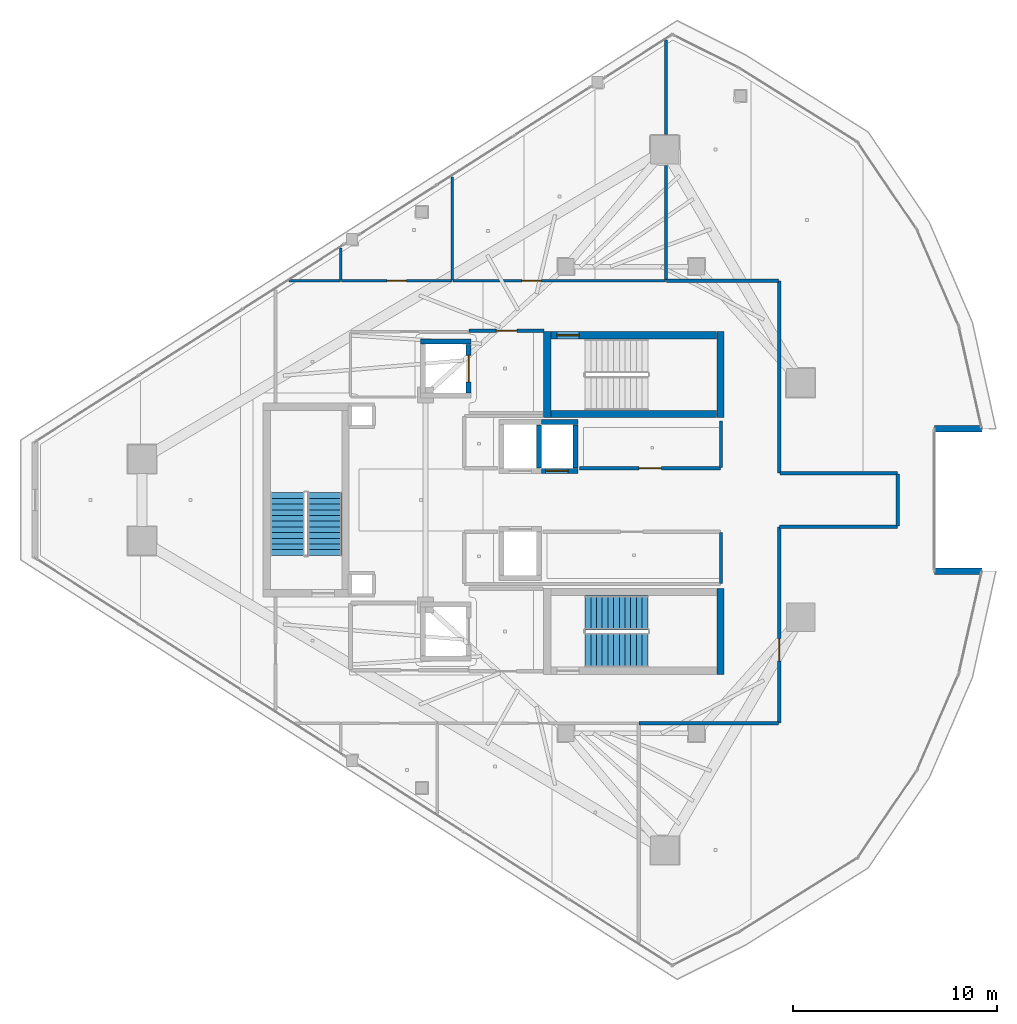
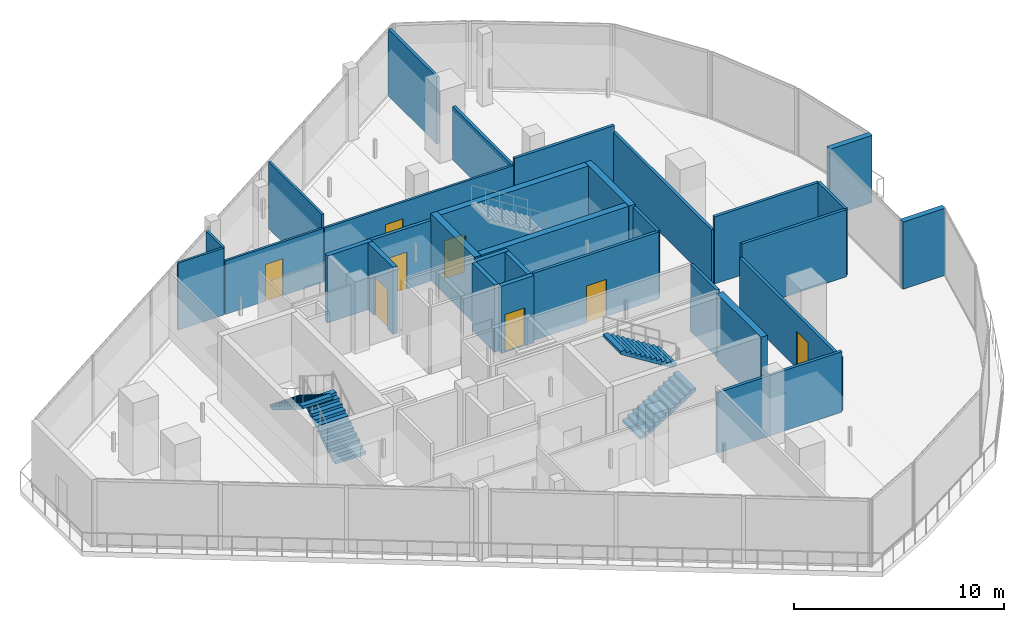
# One storey, part 19 of 25: 31 walls, 8 doors, 4 stair flights, 8 openings, 2 elements without a shape of their own.
"""IFC4 building model written with IfcOpenShell, lengths in metres."""

from ifc_helpers import new_model, si_unit, direction, frame, frame_2d, origin, place, context, subcontext, project, spatial, polyline, rectangle, outline, extrude, material, layer, layer_set, type_object, element, fill, aggregate, save


model = new_model("IFC4")

# Units and contexts
model_context = context("Model", 3, precision=1e-05, world=origin(), true_north=direction((0.0, 1.0)))
body_context = subcontext(model_context, "Body", "Model", "MODEL_VIEW")
ifc_project = project(units=[si_unit("LENGTHUNIT", "METRE"), si_unit("AREAUNIT", "SQUARE_METRE"), si_unit("VOLUMEUNIT", "CUBIC_METRE"), si_unit("PLANEANGLEUNIT", "RADIAN"), si_unit("MASSUNIT", "GRAM", prefix="KILO")], contexts=[model_context])

# Site, building, storey
site_placement = place(None, origin())
site = spatial("IfcSite", under=ifc_project, at=site_placement, CompositionType="ELEMENT")
building_placement = place(site_placement, origin())
building = spatial("IfcBuilding", under=site, at=building_placement, Name="Qorvath Tower", CompositionType="ELEMENT")
storey_placement = place(building_placement, frame((0.0, 0.0, 297.60009765625)))
storey = spatial("IfcBuildingStorey", under=building, at=storey_placement, Name="L69", CompositionType="ELEMENT", Elevation=297.60009765625)

# Wall, opening, door
ifc_material_1 = material(Name="Gypsum shaftliner on steel studs", Category="steel")
ifc_layer_1 = layer(ifc_material_1, 0.179931640625)
ifc_layer_set_1 = layer_set([ifc_layer_1], Name="FW-LOBBY")
wall_type_1 = type_object("IfcWallType", Name="FW-LOBBY", PredefinedType="PARTITIONING", material=ifc_layer_set_1)
wall_1_placement = place(storey_placement, frame((-24.68408203125, 8.300048828125, 0.0), z_axis=(0.0, 0.0, 1.0), x_axis=(-1.0, 0.0, 0.0)))
wall_1 = element("IfcWall", 1, at=wall_1_placement, inside=storey, type_object=wall_type_1, Name="Interior Partition IW-T1-L69-002", PredefinedType="PARTITIONING", context=body_context, shape_type="SweptSolid", body=[
    extrude(rectangle(XDim=3.6708984375, YDim=0.179931640625, at=frame_2d((1.83544921875, 0.0))), origin(), (0.0, 0.0, 1.0), 3.52880859375),
])
opening_1_placement = place(wall_1_placement, frame((1.33544921875, 0.0, 0.0)))
opening_1 = element("IfcOpeningElement", 2, at=opening_1_placement, cuts=wall_1, Name="Opening D-T1-L69-01", PredefinedType="OPENING", context=body_context, shape_type="SweptSolid", body=[
    extrude(rectangle(XDim=1.0, YDim=2.14990234375, at=frame_2d((0.5, 1.074951171875))), frame((0.0, 0.10009765625, 0.0), z_axis=(0.0, -1.0, 0.0), x_axis=(1.0, 0.0, 0.0)), (0.0, 0.0, 1.0), 0.199951171875),
])
ifc_material_2 = material(Name="Painted galvanised hollow metal", Category="steel")
door_type_1 = type_object("IfcDoorType", Name="FD-60", OperationType="NOTDEFINED", PredefinedType="DOOR", material=ifc_material_2)
door_1_placement = place(opening_1_placement, origin())
door_1 = element("IfcDoor", 3, at=door_1_placement, inside=storey, type_object=door_type_1, Name="Lobby Fire Service Elevator North Door D-T1-L69-01", OperationType="SINGLE_SWING_RIGHT", OverallHeight=2.14990234375, OverallWidth=1.0, PredefinedType="DOOR", context=body_context, shape_type="SweptSolid", body=[
    extrude(rectangle(XDim=1.0, YDim=2.14990234375, at=frame_2d((0.5, 1.074951171875))), frame((0.0, 0.02490234375, 0.0), z_axis=(0.0, -1.0, 0.0), x_axis=(1.0, 0.0, 0.0)), (0.0, 0.0, 1.0), 0.050048828125),
])
fill(opening_1, door_1)

ifc_material_3 = material(Name="Double acoustic gypsum board on steel studs", Category="steel")
ifc_layer_2 = layer(ifc_material_3, 0.159912109375)
ifc_layer_set_2 = layer_set([ifc_layer_2], Name="IW-ACOUSTIC-160")
wall_type_2 = type_object("IfcWallType", Name="IW-ACOUSTIC-160", PredefinedType="PARTITIONING", material=ifc_layer_set_2)
wall_2_placement = place(storey_placement, frame((-22.933837890625, 1.56005859375, 0.0), z_axis=(0.0, 0.0, 1.0), x_axis=(1.0, 0.0, 0.0)))
wall_2 = element("IfcWall", 4, at=wall_2_placement, inside=storey, type_object=wall_type_2, Name="Interior Partition IW-T1-L69-010", PredefinedType="PARTITIONING", context=body_context, shape_type="SweptSolid", body=[
    extrude(rectangle(XDim=6.908935546875, YDim=0.159912109375, at=frame_2d((3.45458984375, 0.0))), origin(), (0.0, 0.0, 1.0), 3.909912109375),
])
opening_2_placement = place(wall_2_placement, frame((2.904541015625, 0.0, 0.0)))
opening_2 = element("IfcOpeningElement", 5, at=opening_2_placement, cuts=wall_2, Name="Opening D-T1-L69-04", PredefinedType="OPENING", context=body_context, shape_type="SweptSolid", body=[
    extrude(rectangle(XDim=1.10009765625, YDim=2.14990234375, at=frame_2d((0.550048828125, 1.074951171875))), frame((0.0, 0.08984375, 0.0), z_axis=(0.0, -1.0, 0.0), x_axis=(1.0, 0.0, 0.0)), (0.0, 0.0, 1.0), 0.179931640625),
])
ifc_material_4 = material(Name="Anodised aluminium acoustic framed glass", Category="aluminium")
door_type_2 = type_object("IfcDoorType", Name="D-03", OperationType="NOTDEFINED", PredefinedType="DOOR", material=ifc_material_4)
door_2_placement = place(opening_2_placement, origin())
door_2 = element("IfcDoor", 6, at=door_2_placement, inside=storey, type_object=door_type_2, Name="L69-RCN North Executive Boardroom Door D-T1-L69-04", OperationType="SINGLE_SWING_LEFT", OverallHeight=2.14990234375, OverallWidth=1.10009765625, PredefinedType="DOOR", context=body_context, shape_type="SweptSolid", body=[
    extrude(rectangle(XDim=1.10009765625, YDim=2.14990234375, at=frame_2d((0.550048828125, 1.074951171875))), frame((0.0, 0.02490234375, 0.0), z_axis=(0.0, -1.0, 0.0), x_axis=(1.0, 0.0, 0.0)), (0.0, 0.0, 1.0), 0.050048828125),
])
fill(opening_2, door_2)

# Walls
wall_3_placement = place(storey_placement, frame((-16.0, 1.585205078125, 0.0), z_axis=(0.0, 0.0, 1.0), x_axis=(0.0, 1.0, 0.0)))
element("IfcWall", 7, at=wall_3_placement, inside=storey, type_object=wall_type_2, Name="Interior Partition IW-T1-L69-011", PredefinedType="PARTITIONING", context=body_context, shape_type="SweptSolid", body=[
    extrude(rectangle(XDim=2.30224609375, YDim=0.159912109375, at=frame_2d((1.151123046875, 0.0))), origin(), (0.0, 0.0, 1.0), 3.909912109375),
])
wall_4_placement = place(storey_placement, frame((-16.0, -4.09521484375, 0.0), z_axis=(0.0, 0.0, 1.0), x_axis=(0.0, 1.0, 0.0)))
element("IfcWall", 8, at=wall_4_placement, inside=storey, type_object=wall_type_2, Name="Interior Partition IW-T1-L69-015", PredefinedType="PARTITIONING", context=body_context, shape_type="SweptSolid", body=[
    extrude(rectangle(XDim=2.510009765625, YDim=0.159912109375, at=frame_2d((1.2548828125, 0.0))), origin(), (0.0, 0.0, 1.0), 3.909912109375),
])
wall_5_placement = place(storey_placement, frame((-18.69873046875, 22.558837890625, 0.0), z_axis=(0.0, 0.0, 1.0), x_axis=(5.2865299e-05, -0.999999998603, 0.0)))
element("IfcWall", 9, at=wall_5_placement, inside=storey, type_object=wall_type_2, Name="Interior Partition IW-T1-L69-027", PredefinedType="PARTITIONING", context=body_context, shape_type="SweptSolid", body=[
    extrude(rectangle(XDim=4.6181640625, YDim=0.159912109375, at=frame_2d((2.30908203125, 0.0))), origin(), (0.0, 0.0, 1.0), 3.909912109375),
])
wall_6_placement = place(storey_placement, frame((-18.698486328125, 16.41064453125, 0.0), z_axis=(0.0, 0.0, 1.0), x_axis=(-4.3383948e-05, -0.999999999059, 0.0)))
element("IfcWall", 10, at=wall_6_placement, inside=storey, type_object=wall_type_2, Name="Interior Partition IW-T1-L69-028", PredefinedType="PARTITIONING", context=body_context, shape_type="SweptSolid", body=[
    extrude(rectangle(XDim=5.62744140625, YDim=0.159912109375, at=frame_2d((2.813720703125, 0.0))), origin(), (0.0, 0.0, 1.0), 3.1298828125),
])
wall_7_placement = place(storey_placement, frame((-13.1669921875, 10.758056640625, 0.0), z_axis=(0.0, 0.0, 1.0), x_axis=(-1.0, 0.0, 0.0)))
element("IfcWall", 11, at=wall_7_placement, inside=storey, type_object=wall_type_2, Name="Interior Partition IW-T1-L69-029", PredefinedType="PARTITIONING", context=body_context, shape_type="SweptSolid", body=[
    extrude(rectangle(XDim=5.506591796875, YDim=0.159912109375, at=frame_2d((2.75341796875, 0.0))), origin(), (0.0, 0.0, 1.0), 3.52880859375),
])
wall_8_placement = place(storey_placement, frame((-13.14208984375, 10.733154296875, 0.0), z_axis=(0.0, 0.0, 1.0), x_axis=(0.0, -1.0, 0.0)))
element("IfcWall", 12, at=wall_8_placement, inside=storey, type_object=wall_type_2, Name="Interior Partition IW-T1-L69-030", PredefinedType="PARTITIONING", context=body_context, shape_type="SweptSolid", body=[
    extrude(rectangle(XDim=9.400146484375, YDim=0.159912109375, at=frame_2d((4.7001953125, 0.0))), origin(), (0.0, 0.0, 1.0), 3.1298828125),
])
wall_9_placement = place(storey_placement, frame((-7.350341796875, 1.30810546875, 0.0), z_axis=(0.0, 0.0, 1.0), x_axis=(-1.0, 0.0, 0.0)))
element("IfcWall", 13, at=wall_9_placement, inside=storey, type_object=wall_type_2, Name="Interior Partition IW-T1-L69-031", PredefinedType="PARTITIONING", context=body_context, shape_type="SweptSolid", body=[
    extrude(rectangle(XDim=5.766845703125, YDim=0.159912109375, at=frame_2d((2.88330078125, 0.0))), origin(), (0.0, 0.0, 1.0), 3.909912109375),
])
wall_10_placement = place(storey_placement, frame((-7.325439453125, -1.283203125, 0.0), z_axis=(0.0, 0.0, 1.0), x_axis=(0.0, 1.0, 0.0)))
element("IfcWall", 14, at=wall_10_placement, inside=storey, type_object=wall_type_2, Name="Interior Partition IW-T1-L69-032", PredefinedType="PARTITIONING", context=body_context, shape_type="SweptSolid", body=[
    extrude(rectangle(XDim=2.56640625, YDim=0.159912109375, at=frame_2d((1.283203125, 0.0))), origin(), (0.0, 0.0, 1.0), 3.909912109375),
])
wall_11_placement = place(storey_placement, frame((-13.1171875, -1.30810546875, 0.0), z_axis=(0.0, 0.0, 1.0), x_axis=(1.0, 0.0, 0.0)))
element("IfcWall", 15, at=wall_11_placement, inside=storey, type_object=wall_type_2, Name="Interior Partition IW-T1-L69-033", PredefinedType="PARTITIONING", context=body_context, shape_type="SweptSolid", body=[
    extrude(rectangle(XDim=5.766845703125, YDim=0.159912109375, at=frame_2d((2.88330078125, 0.0))), origin(), (0.0, 0.0, 1.0), 3.909912109375),
])

# Wall, opening, door
wall_12_placement = place(storey_placement, frame((-13.14208984375, -1.3330078125, 0.0), z_axis=(0.0, 0.0, 1.0), x_axis=(0.0, -1.0, 0.0)))
wall_12 = element("IfcWall", 16, at=wall_12_placement, inside=storey, type_object=wall_type_2, Name="Interior Partition IW-T1-L69-034", PredefinedType="PARTITIONING", context=body_context, shape_type="SweptSolid", body=[
    extrude(rectangle(XDim=9.60009765625, YDim=0.159912109375, at=frame_2d((4.800048828125, 0.0))), origin(), (0.0, 0.0, 1.0), 3.1298828125),
])
opening_3_placement = place(wall_12_placement, frame((5.46435546875, 0.0, 0.0)))
opening_3 = element("IfcOpeningElement", 17, at=opening_3_placement, cuts=wall_12, Name="Opening D-T1-L69-08", PredefinedType="OPENING", context=body_context, shape_type="SweptSolid", body=[
    extrude(rectangle(XDim=1.10009765625, YDim=2.14990234375, at=frame_2d((0.550048828125, 1.074951171875))), frame((0.0, 0.08984375, 0.0), z_axis=(0.0, -1.0, 0.0), x_axis=(1.0, 0.0, 0.0)), (0.0, 0.0, 1.0), 0.179931640625),
])
door_3_placement = place(opening_3_placement, origin())
door_3 = element("IfcDoor", 18, at=door_3_placement, inside=storey, type_object=door_type_2, Name="L69-02 Enclosed Conference Suite Door D-T1-L69-08", OperationType="SINGLE_SWING_LEFT", OverallHeight=2.14990234375, OverallWidth=1.10009765625, PredefinedType="DOOR", context=body_context, shape_type="SweptSolid", body=[
    extrude(rectangle(XDim=1.10009765625, YDim=2.14990234375, at=frame_2d((0.550048828125, 1.074951171875))), frame((0.0, 0.02490234375, 0.0), z_axis=(0.0, -1.0, 0.0), x_axis=(1.0, 0.0, 0.0)), (0.0, 0.0, 1.0), 0.050048828125),
])
fill(opening_3, door_3)

# Walls
wall_13_placement = place(storey_placement, frame((-20.014892578125, -10.9580078125, 0.0), z_axis=(0.0, 0.0, 1.0), x_axis=(1.0, 0.0, 0.0)))
element("IfcWall", 19, at=wall_13_placement, inside=storey, type_object=wall_type_2, Name="Interior Partition IW-T1-L69-035", PredefinedType="PARTITIONING", context=body_context, shape_type="SweptSolid", body=[
    extrude(rectangle(XDim=6.847900390625, YDim=0.159912109375, at=frame_2d((3.423828125, 0.0))), origin(), (0.0, 0.0, 1.0), 3.52880859375),
])
ifc_material_5 = material(Name="Gypsum board on metal studs with mineral wool", Category="gypsum")
ifc_layer_3 = layer(ifc_material_5, 0.125)
ifc_layer_set_3 = layer_set([ifc_layer_3], Name="IW-PART-125")
wall_type_3 = type_object("IfcWallType", Name="IW-PART-125", PredefinedType="PARTITIONING", material=ifc_layer_set_3)
wall_14_placement = place(storey_placement, frame((-34.6748046875, 10.758056640625, 0.0), z_axis=(0.0, 0.0, 1.0), x_axis=(-1.0, 0.0, 0.0)))
element("IfcWall", 20, at=wall_14_placement, inside=storey, type_object=wall_type_3, Name="Interior Partition IW-T1-L69-025", PredefinedType="PARTITIONING", context=body_context, shape_type="SweptSolid", body=[
    extrude(rectangle(XDim=2.53271484375, YDim=0.125, at=frame_2d((1.266357421875, 0.0))), origin(), (0.0, 0.0, 1.0), 3.909912109375),
])
wall_15_placement = place(storey_placement, frame((-34.64990234375, 10.783203125, 0.0), z_axis=(0.0, 0.0, 1.0), x_axis=(0.0, 1.0, 0.0)))
element("IfcWall", 21, at=wall_15_placement, inside=storey, type_object=wall_type_3, Name="Interior Partition IW-T1-L69-026", PredefinedType="PARTITIONING", context=body_context, shape_type="SweptSolid", body=[
    extrude(rectangle(XDim=1.58056640625, YDim=0.125, at=frame_2d((0.790283203125, 0.0))), origin(), (0.0, 0.0, 1.0), 3.909912109375),
])

# Wall, opening, door
wall_16_placement = place(storey_placement, frame((-34.6171875, 10.758056640625, 0.0), z_axis=(0.0, 0.0, 1.0), x_axis=(1.0, 0.0, 0.0)))
wall_16 = element("IfcWall", 22, at=wall_16_placement, inside=storey, type_object=wall_type_3, Name="Interior Partition IW-T1-L69-037", PredefinedType="PARTITIONING", context=body_context, shape_type="SweptSolid", body=[
    extrude(rectangle(XDim=5.408935546875, YDim=0.125, at=frame_2d((2.70458984375, 0.0))), origin(), (0.0, 0.0, 1.0), 3.1298828125),
])
opening_4_placement = place(wall_16_placement, frame((2.2294921875, 0.0, 0.0)))
opening_4 = element("IfcOpeningElement", 23, at=opening_4_placement, cuts=wall_16, Name="Opening D-T1-L69-09", PredefinedType="OPENING", context=body_context, shape_type="SweptSolid", body=[
    extrude(rectangle(XDim=0.949951171875, YDim=2.14990234375, at=frame_2d((0.47509765625, 1.074951171875))), frame((0.0, 0.072509765625, 0.0), z_axis=(0.0, -1.0, 0.0), x_axis=(1.0, 0.0, 0.0)), (0.0, 0.0, 1.0), 0.14501953125),
])
ifc_material_6 = material(Name="Solid-core American white oak veneer", Category="wood")
door_type_3 = type_object("IfcDoorType", Name="D-01", OperationType="NOTDEFINED", PredefinedType="DOOR", material=ifc_material_6)
door_4_placement = place(opening_4_placement, origin())
door_4 = element("IfcDoor", 24, at=door_4_placement, inside=storey, type_object=door_type_3, Name="L69-03 Executive Partner Office Door D-T1-L69-09", OperationType="SINGLE_SWING_RIGHT", OverallHeight=2.14990234375, OverallWidth=0.949951171875, PredefinedType="DOOR", context=body_context, shape_type="SweptSolid", body=[
    extrude(rectangle(XDim=0.949951171875, YDim=2.14990234375, at=frame_2d((0.47509765625, 1.074951171875))), frame((0.0, 0.02490234375, 0.0), z_axis=(0.0, -1.0, 0.0), x_axis=(1.0, 0.0, 0.0)), (0.0, 0.0, 1.0), 0.050048828125),
])
fill(opening_4, door_4)

# Wall
wall_17_placement = place(storey_placement, frame((-29.183349609375, 10.783203125, 0.0), z_axis=(0.0, 0.0, 1.0), x_axis=(0.0, 1.0, 0.0)))
element("IfcWall", 25, at=wall_17_placement, inside=storey, type_object=wall_type_3, Name="Interior Partition IW-T1-L69-038", PredefinedType="PARTITIONING", context=body_context, shape_type="SweptSolid", body=[
    extrude(rectangle(XDim=5.074462890625, YDim=0.125, at=frame_2d((2.537109375, 0.0))), origin(), (0.0, 0.0, 1.0), 3.909912109375),
])

# Wall, opening, door
wall_18_placement = place(storey_placement, frame((-29.150390625, 10.758056640625, 0.0), z_axis=(0.0, 0.0, 1.0), x_axis=(1.0, 0.0, 0.0)))
wall_18 = element("IfcWall", 26, at=wall_18_placement, inside=storey, type_object=wall_type_3, Name="Interior Partition IW-T1-L69-039", PredefinedType="PARTITIONING", context=body_context, shape_type="SweptSolid", body=[
    extrude(rectangle(XDim=10.4189453125, YDim=0.125, at=frame_2d((5.20947265625, 0.0))), origin(), (0.0, 0.0, 1.0), 3.1298828125),
])
opening_5_placement = place(wall_18_placement, frame((3.3818359375, 0.0, 0.0)))
opening_5 = element("IfcOpeningElement", 27, at=opening_5_placement, cuts=wall_18, Name="Opening D-T1-L69-10", PredefinedType="OPENING", context=body_context, shape_type="SweptSolid", body=[
    extrude(rectangle(XDim=0.949951171875, YDim=2.14990234375, at=frame_2d((0.47509765625, 1.074951171875))), frame((0.0, 0.072509765625, 0.0), z_axis=(0.0, -1.0, 0.0), x_axis=(1.0, 0.0, 0.0)), (0.0, 0.0, 1.0), 0.14501953125),
])
door_5_placement = place(opening_5_placement, origin())
door_5 = element("IfcDoor", 28, at=door_5_placement, inside=storey, type_object=door_type_3, Name="L69-04 Executive Partner Office Door D-T1-L69-10", OperationType="SINGLE_SWING_LEFT", OverallHeight=2.14990234375, OverallWidth=0.949951171875, PredefinedType="DOOR", context=body_context, shape_type="SweptSolid", body=[
    extrude(rectangle(XDim=0.949951171875, YDim=2.14990234375, at=frame_2d((0.47509765625, 1.074951171875))), frame((0.0, 0.02490234375, 0.0), z_axis=(0.0, -1.0, 0.0), x_axis=(1.0, 0.0, 0.0)), (0.0, 0.0, 1.0), 0.050048828125),
])
fill(opening_5, door_5)

# Wall
ifc_material_7 = material(Name="Concrete C60/75", Category="concrete")
ifc_layer_4 = layer(ifc_material_7, 0.260009765625)
ifc_layer_set_4 = layer_set([ifc_layer_4], Name="SW-SHAFT")
wall_type_4 = type_object("IfcWallType", Name="SW-SHAFT", PredefinedType="SHEAR", material=ifc_layer_set_4)
wall_19_placement = place(storey_placement, frame((-30.739990234375, 7.77001953125, 0.0), z_axis=(0.0, 0.0, 1.0), x_axis=(1.0, 0.0, 0.0)))
element("IfcWall", 29, at=wall_19_placement, inside=storey, type_object=wall_type_4, Name="Hoistway Wall FSAE-1 L69 N", PredefinedType="SHEAR", context=body_context, shape_type="SweptSolid", body=[
    extrude(rectangle(XDim=2.47998046875, YDim=0.239990234375, at=frame_2d((1.239990234375, 0.0))), origin(), (0.0, 0.0, 1.0), 3.909912109375),
])

# Wall, opening, door
wall_20_placement = place(storey_placement, frame((-28.3798828125, 7.637939453125, 0.0), z_axis=(0.0, 0.0, 1.0), x_axis=(0.0, -1.0, 0.0)))
wall_20 = element("IfcWall", 30, at=wall_20_placement, inside=storey, type_object=wall_type_4, Name="Hoistway Wall FSAE-1 L69 E", PredefinedType="SHEAR", context=body_context, shape_type="SweptSolid", body=[
    extrude(rectangle(XDim=2.3759765625, YDim=0.239990234375, at=frame_2d((1.18798828125, 0.0))), origin(), (0.0, 0.0, 1.0), 3.909912109375),
])
opening_6_placement = place(wall_20_placement, frame((0.537841796875, 0.0, 0.0)))
opening_6 = element("IfcOpeningElement", 31, at=opening_6_placement, cuts=wall_20, Name="Opening LD-FSAE-1-L69", PredefinedType="OPENING", context=body_context, shape_type="SweptSolid", body=[
    extrude(rectangle(XDim=1.300048828125, YDim=2.300048828125, at=frame_2d((0.64990234375, 1.14990234375))), frame((0.0, 0.1298828125, 0.0), z_axis=(0.0, -1.0, 0.0), x_axis=(1.0, 0.0, 0.0)), (0.0, 0.0, 1.0), 0.260009765625),
])
ifc_material_8 = material(Name="Brushed stainless steel AISI 316", Category="steel")
door_type_4 = type_object("IfcDoorType", Name="LD-02", OperationType="NOTDEFINED", PredefinedType="DOOR", material=ifc_material_8)
door_6_placement = place(opening_6_placement, origin())
door_6 = element("IfcDoor", 32, at=door_6_placement, inside=storey, type_object=door_type_4, Name="Elevator Landing Sliding Door LD-FSAE-1-L69", OperationType="DOUBLE_DOOR_SLIDING", OverallHeight=2.300048828125, OverallWidth=1.300048828125, PredefinedType="DOOR", context=body_context, shape_type="SweptSolid", body=[
    extrude(rectangle(XDim=1.300048828125, YDim=2.300048828125, at=frame_2d((0.64990234375, 1.14990234375))), frame((0.0, 0.02490234375, 0.0), z_axis=(0.0, -1.0, 0.0), x_axis=(1.0, 0.0, 0.0)), (0.0, 0.0, 1.0), 0.050048828125),
])
fill(opening_6, door_6)

# Wall
wall_21_placement = place(storey_placement, frame((-24.929931640625, 3.68798828125, 0.0), z_axis=(0.0, 0.0, 1.0), x_axis=(0.0, -1.0, 0.0)))
element("IfcWall", 33, at=wall_21_placement, inside=storey, type_object=wall_type_4, Name="Hoistway Wall PH-1 L69 E", PredefinedType="SHEAR", context=body_context, shape_type="SweptSolid", body=[
    extrude(rectangle(XDim=2.1259765625, YDim=0.239990234375, at=frame_2d((1.06298828125, 0.0))), origin(), (0.0, 0.0, 1.0), 3.909912109375),
])

# Wall, opening, door
wall_22_placement = place(storey_placement, frame((-23.010009765625, 1.429931640625, 0.0), z_axis=(0.0, 0.0, 1.0), x_axis=(-1.0, 0.0, 0.0)))
wall_22 = element("IfcWall", 34, at=wall_22_placement, inside=storey, type_object=wall_type_4, Name="Hoistway Wall PH-2 L69 S", PredefinedType="SHEAR", context=body_context, shape_type="SweptSolid", body=[
    extrude(rectangle(XDim=1.800048828125, YDim=0.239990234375, at=frame_2d((0.89990234375, 0.0))), origin(), (0.0, 0.0, 1.0), 3.909912109375),
])
opening_7_placement = place(wall_22_placement, frame((0.489990234375, 0.0, 0.0)))
opening_7 = element("IfcOpeningElement", 35, at=opening_7_placement, cuts=wall_22, Name="Opening LD-PH-2-L69", PredefinedType="OPENING", context=body_context, shape_type="SweptSolid", body=[
    extrude(rectangle(XDim=1.10009765625, YDim=2.199951171875, at=frame_2d((0.550048828125, 1.10009765625))), frame((0.0, 0.1298828125, 0.0), z_axis=(0.0, -1.0, 0.0), x_axis=(1.0, 0.0, 0.0)), (0.0, 0.0, 1.0), 0.260009765625),
])
ifc_material_9 = material(Name="Brushed stainless steel AISI 316", Category="steel")
door_type_5 = type_object("IfcDoorType", Name="LD-01", OperationType="NOTDEFINED", PredefinedType="DOOR", material=ifc_material_9)
door_7_placement = place(opening_7_placement, origin())
door_7 = element("IfcDoor", 36, at=door_7_placement, inside=storey, type_object=door_type_5, Name="Elevator Landing Sliding Door LD-PH-2-L69", OperationType="DOUBLE_DOOR_SLIDING", OverallHeight=2.199951171875, OverallWidth=1.10009765625, PredefinedType="DOOR", context=body_context, shape_type="SweptSolid", body=[
    extrude(rectangle(XDim=1.10009765625, YDim=2.199951171875, at=frame_2d((0.550048828125, 1.10009765625))), frame((0.0, 0.02490234375, 0.0), z_axis=(0.0, -1.0, 0.0), x_axis=(1.0, 0.0, 0.0)), (0.0, 0.0, 1.0), 0.050048828125),
])
fill(opening_7, door_7)

# Walls
wall_23_placement = place(storey_placement, frame((-24.81005859375, 3.820068359375, 0.0), z_axis=(0.0, 0.0, 1.0), x_axis=(1.0, 0.0, 0.0)))
element("IfcWall", 37, at=wall_23_placement, inside=storey, type_object=wall_type_4, Name="Hoistway Wall PH-2 L69 N", PredefinedType="SHEAR", context=body_context, shape_type="SweptSolid", body=[
    extrude(rectangle(XDim=1.800048828125, YDim=0.239990234375, at=frame_2d((0.89990234375, 0.0))), origin(), (0.0, 0.0, 1.0), 3.909912109375),
])
wall_24_placement = place(storey_placement, frame((-23.1298828125, 3.68798828125, 0.0), z_axis=(0.0, 0.0, 1.0), x_axis=(0.0, -1.0, 0.0)))
element("IfcWall", 38, at=wall_24_placement, inside=storey, type_object=wall_type_4, Name="Hoistway Wall PH-2 L69 E", PredefinedType="SHEAR", context=body_context, shape_type="SweptSolid", body=[
    extrude(rectangle(XDim=2.1259765625, YDim=0.239990234375, at=frame_2d((1.06298828125, 0.0))), origin(), (0.0, 0.0, 1.0), 3.909912109375),
])
ifc_material_10 = material(Name="Concrete C60/75", Category="concrete")
ifc_layer_5 = layer(ifc_material_10, 0.35009765625)
ifc_layer_set_5 = layer_set([ifc_layer_5], Name="SW-STAIR")
wall_type_5 = type_object("IfcWallType", Name="SW-STAIR", PredefinedType="SHEAR", material=ifc_layer_set_5)
for number, where, z_axis, x_axis, name in (
    (39, (-24.52490234375, 8.260009765625, 0.0), (0.0, 0.0, 1.0), (0.0, -1.0, 0.0), "Stair TS1 Shear Wall L69 NEAR"),
    (40, (-16.02490234375, 4.050048828125, 0.0), (0.0, 0.0, 1.0), (0.0, 1.0, 0.0), "Stair TS1 Shear Wall L69 FAR"),
):
    element("IfcWall", number, at=place(storey_placement, frame(where, z_axis=z_axis, x_axis=x_axis)), inside=storey, type_object=wall_type_5, Name=name, PredefinedType="SHEAR", context=body_context, shape_type="SweptSolid", body=[
        extrude(rectangle(XDim=4.2099609375, YDim=0.35009765625, at=frame_2d((2.10498046875, 0.0))), origin(), (0.0, 0.0, 1.0), 3.909912109375),
    ])
wall_25_placement = place(storey_placement, frame((-24.3349609375, 4.22509765625, 0.0), z_axis=(0.0, 0.0, 1.0), x_axis=(1.0, 0.0, 0.0)))
element("IfcWall", 41, at=wall_25_placement, inside=storey, type_object=wall_type_5, Name="Stair TS1 Shear Wall L69 LEFT", PredefinedType="SHEAR", context=body_context, shape_type="SweptSolid", body=[
    extrude(rectangle(XDim=8.119873046875, YDim=0.35009765625, at=frame_2d((4.06005859375, 0.0))), origin(), (0.0, 0.0, 1.0), 3.909912109375),
])

# Wall, opening, door
wall_26_placement = place(storey_placement, frame((-16.215087890625, 8.0849609375, 0.0), z_axis=(0.0, 0.0, 1.0), x_axis=(-1.0, 0.0, 0.0)))
wall_26 = element("IfcWall", 42, at=wall_26_placement, inside=storey, type_object=wall_type_5, Name="Stair TS1 Shear Wall L69 RIGHT", PredefinedType="SHEAR", context=body_context, shape_type="SweptSolid", body=[
    extrude(rectangle(XDim=8.119873046875, YDim=0.35009765625, at=frame_2d((4.06005859375, 0.0))), origin(), (0.0, 0.0, 1.0), 3.909912109375),
])
opening_8_placement = place(wall_26_placement, frame((6.739990234375, 0.0, 0.0)))
opening_8 = element("IfcOpeningElement", 43, at=opening_8_placement, cuts=wall_26, Name="Opening D-TS1-L69", PredefinedType="OPENING", context=body_context, shape_type="SweptSolid", body=[
    extrude(rectangle(XDim=1.10009765625, YDim=2.199951171875, at=frame_2d((0.550048828125, 1.10009765625))), frame((0.0, 0.18505859375, 0.0), z_axis=(0.0, -1.0, 0.0), x_axis=(1.0, 0.0, 0.0)), (0.0, 0.0, 1.0), 0.3701171875),
])
ifc_material_11 = material(Name="Painted galvanised hollow metal", Category="steel")
door_type_6 = type_object("IfcDoorType", Name="FD-90", OperationType="NOTDEFINED", PredefinedType="DOOR", material=ifc_material_11)
door_8_placement = place(opening_8_placement, origin())
door_8 = element("IfcDoor", 44, at=door_8_placement, inside=storey, type_object=door_type_6, Name="Stair TS1 Fire Door L69", OperationType="SINGLE_SWING_RIGHT", OverallHeight=2.199951171875, OverallWidth=1.10009765625, PredefinedType="DOOR", context=body_context, shape_type="SweptSolid", body=[
    extrude(rectangle(XDim=1.10009765625, YDim=2.199951171875, at=frame_2d((0.550048828125, 1.10009765625))), frame((0.0, 0.02490234375, 0.0), z_axis=(0.0, -1.0, 0.0), x_axis=(1.0, 0.0, 0.0)), (0.0, 0.0, 1.0), 0.050048828125),
])
fill(opening_8, door_8)

# Walls
wall_27_placement = place(storey_placement, frame((-16.02490234375, -8.550048828125, 0.0), z_axis=(0.0, 0.0, 1.0), x_axis=(0.0, 1.0, 0.0)))
element("IfcWall", 45, at=wall_27_placement, inside=storey, type_object=wall_type_5, Name="Stair TS2 Shear Wall L69 FAR", PredefinedType="SHEAR", context=body_context, shape_type="SweptSolid", body=[
    extrude(rectangle(XDim=4.2099609375, YDim=0.35009765625, at=frame_2d((2.10498046875, 0.0))), origin(), (0.0, 0.0, 1.0), 3.909912109375),
])
ifc_material_12 = material(Name="Precast concrete C45/55", Category="concrete")
ifc_layer_6 = layer(ifc_material_12, 0.300048828125)
ifc_layer_set_6 = layer_set([ifc_layer_6], Name="WL-EW-LOG-300")
wall_type_6 = type_object("IfcWallType", Name="WL-EW-LOG-300", PredefinedType="SOLIDWALL", material=ifc_layer_set_6)
for number, where, z_axis, x_axis, name in (
    (46, (-3.204345703125, -3.493896484375, 0.0), (0.0, 0.0, 1.0), (-1.0, 0.0, 0.0), "Tower Precast Loggia Wall L69-8.1"),
    (47, (-5.533447265625, 3.493896484375, 0.0), (0.0, 0.0, 1.0), (1.0, 0.0, 0.0), "Tower Precast Loggia Wall L69-10.1"),
):
    element("IfcWall", number, at=place(storey_placement, frame(where, z_axis=z_axis, x_axis=x_axis)), inside=storey, type_object=wall_type_6, Name=name, PredefinedType="SOLIDWALL", context=body_context, shape_type="SweptSolid", body=[
        extrude(rectangle(XDim=2.3291015625, YDim=0.300048828125, at=frame_2d((1.16455078125, 0.0))), origin(), (0.0, 0.0, 1.0), 3.909912109375),
    ])

# Stair, stair flights
ifc_material_13 = material(Name="Concrete C50/60", Category="concrete")
stair_type = type_object("IfcStairType", Name="ST-H420", PredefinedType="HALF_TURN_STAIR", material=ifc_material_13)
stair_1_placement = place(storey_placement, origin())
stair_1 = element("IfcStair", 48, at=stair_1_placement, inside=storey, type_object=stair_type, Name="L69 Tower Exit Stair 2", PredefinedType="HALF_TURN_STAIR")
ifc_material_14 = material(Name="Concrete C50/60", Category="concrete")
ifc_layer_7 = layer(ifc_material_14, 0.14990234375)
ifc_layer_set_7 = layer_set([ifc_layer_7], Name="SF-H420")
stair_flight_type = type_object("IfcStairFlightType", Name="SF-H420", PredefinedType="STRAIGHT", material=ifc_layer_set_7)
stair_flight_1_placement = place(storey_placement, frame((-22.669921875, -7.360107421875, 0.0), z_axis=(0.0, 0.0, 1.0), x_axis=(1.0, 0.0, 0.0)))
stair_flight_1 = element("IfcStairFlight", 49, at=stair_flight_1_placement, type_object=stair_flight_type, Name="TS2 flight 1", NumberOfRisers=12, NumberOfTreads=11, PredefinedType="STRAIGHT", RiserHeight=0.175, TreadLength=0.28, context=body_context, shape_type="SweptSolid", body=[
    extrude(outline(polyline([(0.0, 0.0), (0.0, 0.175048828125), (0.280029296875, 0.175048828125), (0.280029296875, 0.35009765625), (0.56005859375, 0.35009765625), (0.56005859375, 0.52490234375), (0.840087890625, 0.52490234375), (0.840087890625, 0.699951171875), (1.1201171875, 0.699951171875), (1.1201171875, 0.875), (1.39990234375, 0.875), (1.39990234375, 1.050048828125), (1.679931640625, 1.050048828125), (1.679931640625, 1.22509765625), (1.9599609375, 1.22509765625), (1.9599609375, 1.39990234375), (2.239990234375, 1.39990234375), (2.239990234375, 1.574951171875), (2.52001953125, 1.574951171875), (2.52001953125, 1.75), (2.800048828125, 1.75), (2.800048828125, 1.925048828125), (3.080078125, 1.925048828125), (3.080078125, 2.10009765625), (3.080078125, 1.748291015625), (0.28271484375, 0.0), (0.0, 0.0)])), frame((0.0, 0.83984375, 0.0), z_axis=(0.0, -1.0, 0.0), x_axis=(1.0, 0.0, 0.0)), (0.0, 0.0, 1.0), 1.679931640625),
])
stair_flight_2_placement = place(storey_placement, frame((-19.590087890625, -5.530029296875, 2.099853515625), z_axis=(0.0, 0.0, 1.0), x_axis=(-1.0, 0.0, 0.0)))
stair_flight_2 = element("IfcStairFlight", 50, at=stair_flight_2_placement, type_object=stair_flight_type, Name="TS2 flight 2", NumberOfRisers=12, NumberOfTreads=11, PredefinedType="STRAIGHT", RiserHeight=0.175, TreadLength=0.28, context=body_context, shape_type="SweptSolid", body=[
    extrude(outline(polyline([(0.0, 0.0), (0.0, 0.175048828125), (0.280029296875, 0.175048828125), (0.280029296875, 0.35009765625), (0.56005859375, 0.35009765625), (0.56005859375, 0.52490234375), (0.840087890625, 0.52490234375), (0.840087890625, 0.699951171875), (1.1201171875, 0.699951171875), (1.1201171875, 0.875), (1.39990234375, 0.875), (1.39990234375, 1.050048828125), (1.679931640625, 1.050048828125), (1.679931640625, 1.22509765625), (1.9599609375, 1.22509765625), (1.9599609375, 1.39990234375), (2.239990234375, 1.39990234375), (2.239990234375, 1.574951171875), (2.52001953125, 1.574951171875), (2.52001953125, 1.75), (2.800048828125, 1.75), (2.800048828125, 1.925048828125), (3.080078125, 1.925048828125), (3.080078125, 2.10009765625), (3.080078125, 1.748291015625), (0.28271484375, 0.0), (0.0, 0.0)])), frame((0.0, 0.83984375, 0.0), z_axis=(0.0, -1.0, 0.0), x_axis=(1.0, 0.0, 0.0)), (0.0, 0.0, 1.0), 1.679931640625),
])
aggregate(stair_1, [stair_flight_1, stair_flight_2])

stair_2_placement = place(storey_placement, origin())
stair_2 = element("IfcStair", 51, at=stair_2_placement, inside=storey, type_object=stair_type, Name="L69 Tower Exit Stair 3", PredefinedType="HALF_TURN_STAIR")
stair_flight_3_placement = place(storey_placement, frame((-35.43994140625, -2.719970703125, 0.0), z_axis=(0.0, 0.0, 1.0), x_axis=(0.0, 1.0, 0.0)))
stair_flight_3 = element("IfcStairFlight", 52, at=stair_flight_3_placement, type_object=stair_flight_type, Name="TS3 flight 1", NumberOfRisers=12, NumberOfTreads=11, PredefinedType="STRAIGHT", RiserHeight=0.175, TreadLength=0.28, context=body_context, shape_type="SweptSolid", body=[
    extrude(outline(polyline([(0.0, 0.0), (0.0, 0.175048828125), (0.280029296875, 0.175048828125), (0.280029296875, 0.35009765625), (0.56005859375, 0.35009765625), (0.56005859375, 0.52490234375), (0.840087890625, 0.52490234375), (0.840087890625, 0.699951171875), (1.1201171875, 0.699951171875), (1.1201171875, 0.875), (1.39990234375, 0.875), (1.39990234375, 1.050048828125), (1.679931640625, 1.050048828125), (1.679931640625, 1.22509765625), (1.9599609375, 1.22509765625), (1.9599609375, 1.39990234375), (2.239990234375, 1.39990234375), (2.239990234375, 1.574951171875), (2.52001953125, 1.574951171875), (2.52001953125, 1.75), (2.800048828125, 1.75), (2.800048828125, 1.925048828125), (3.080078125, 1.925048828125), (3.080078125, 2.10009765625), (3.080078125, 1.748291015625), (0.28271484375, 0.0), (0.0, 0.0)])), frame((0.0, 0.83984375, 0.0), z_axis=(0.0, -1.0, 0.0), x_axis=(1.0, 0.0, 0.0)), (0.0, 0.0, 1.0), 1.679931640625),
])
stair_flight_4_placement = place(storey_placement, frame((-37.27001953125, 0.360107421875, 2.099853515625), z_axis=(0.0, 0.0, 1.0), x_axis=(0.0, -1.0, 0.0)))
stair_flight_4 = element("IfcStairFlight", 53, at=stair_flight_4_placement, type_object=stair_flight_type, Name="TS3 flight 2", NumberOfRisers=12, NumberOfTreads=11, PredefinedType="STRAIGHT", RiserHeight=0.175, TreadLength=0.28, context=body_context, shape_type="SweptSolid", body=[
    extrude(outline(polyline([(0.0, 0.0), (0.0, 0.175048828125), (0.280029296875, 0.175048828125), (0.280029296875, 0.35009765625), (0.56005859375, 0.35009765625), (0.56005859375, 0.52490234375), (0.840087890625, 0.52490234375), (0.840087890625, 0.699951171875), (1.1201171875, 0.699951171875), (1.1201171875, 0.875), (1.39990234375, 0.875), (1.39990234375, 1.050048828125), (1.679931640625, 1.050048828125), (1.679931640625, 1.22509765625), (1.9599609375, 1.22509765625), (1.9599609375, 1.39990234375), (2.239990234375, 1.39990234375), (2.239990234375, 1.574951171875), (2.52001953125, 1.574951171875), (2.52001953125, 1.75), (2.800048828125, 1.75), (2.800048828125, 1.925048828125), (3.080078125, 1.925048828125), (3.080078125, 2.10009765625), (3.080078125, 1.748291015625), (0.28271484375, 0.0), (0.0, 0.0)])), frame((0.0, 0.83984375, 0.0), z_axis=(0.0, -1.0, 0.0), x_axis=(1.0, 0.0, 0.0)), (0.0, 0.0, 1.0), 1.679931640625),
])
aggregate(stair_2, [stair_flight_3, stair_flight_4])

save(model, "model.ifc")
